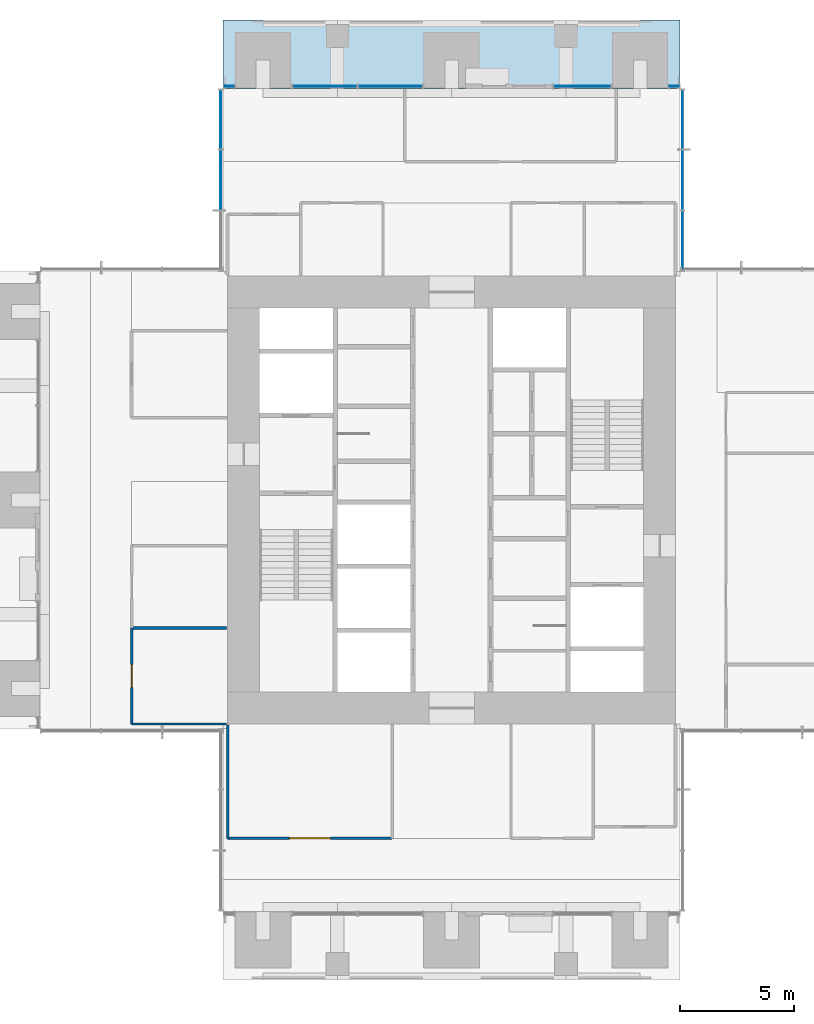
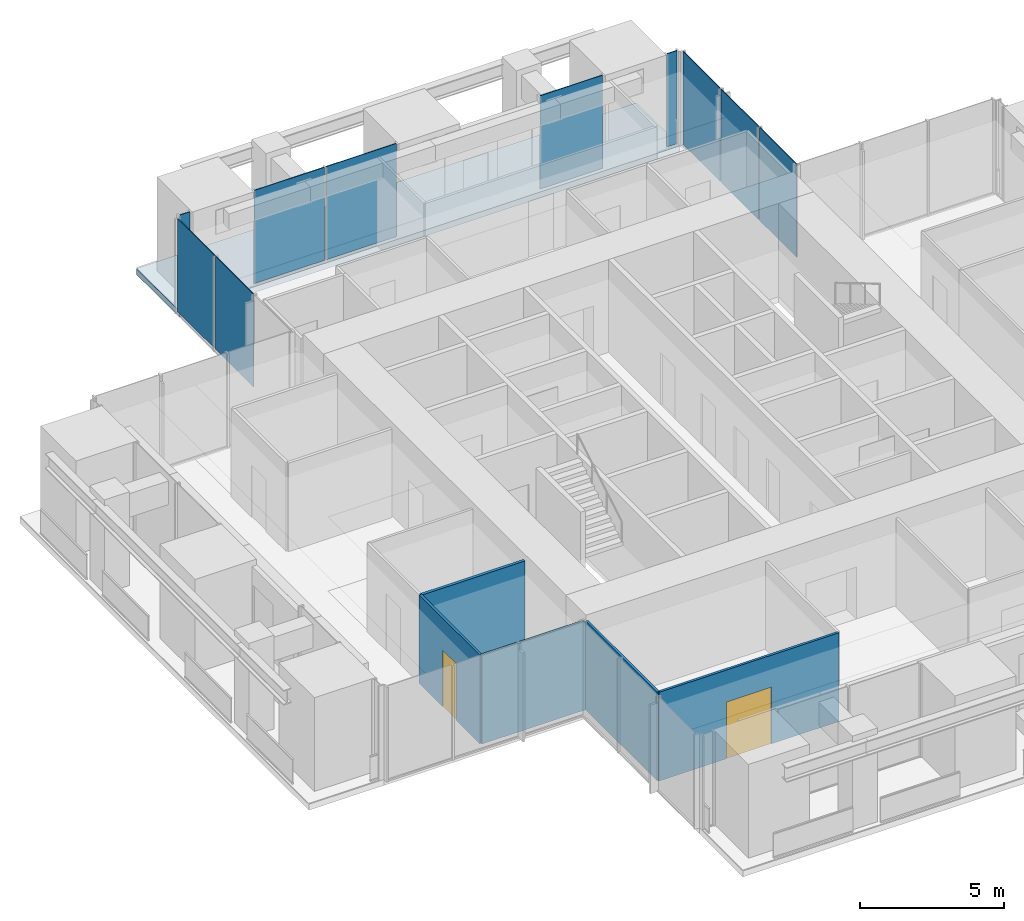
# One storey, part 11 of 17: 10 plates, 5 walls, 2 doors, 1 slab, 2 openings, 6 elements without a shape of their own.
"""IFC4 building model written with IfcOpenShell, lengths in metres."""

from ifc_helpers import new_model, si_unit, direction, frame, frame_2d, origin, origin_2d, place, context, subcontext, project, spatial, polyline, rectangle, outline, extrude, material, layer, layer_set, type_object, element, fill, aggregate, save


model = new_model("IFC4")

# Units and contexts
model_context = context("Model", 3, precision=1e-05, world=origin(), true_north=direction((0.0, 1.0)))
body_context = subcontext(model_context, "Body", "Model", "MODEL_VIEW")
ifc_project = project(units=[si_unit("LENGTHUNIT", "METRE"), si_unit("AREAUNIT", "SQUARE_METRE"), si_unit("VOLUMEUNIT", "CUBIC_METRE"), si_unit("PLANEANGLEUNIT", "RADIAN"), si_unit("MASSUNIT", "GRAM", prefix="KILO")], contexts=[model_context])

# Site, building, storey
site_placement = place(None, origin())
site = spatial("IfcSite", under=ifc_project, at=site_placement, CompositionType="ELEMENT")
building_placement = place(site_placement, origin())
building = spatial("IfcBuilding", under=site, at=building_placement, Name="Svetlomir Tower", CompositionType="ELEMENT")
storey_placement = place(building_placement, frame((0.0, 0.0, 186.5)))
storey = spatial("IfcBuildingStorey", under=building, at=storey_placement, Name="L44", CompositionType="ELEMENT", Elevation=186.5)

# Curtain wall, plates
ifc_material_1 = material(Name="Bronze anodised aluminium curtain wall", Category="aluminium")
curtain_wall_type = type_object("IfcCurtainWallType", Name="CURTAIN WALL CW1 TOWER OFFICE", PredefinedType="NOTDEFINED", material=ifc_material_1)
curtain_wall_1_placement = place(storey_placement, origin())
curtain_wall_1 = element("IfcCurtainWall", 1, at=curtain_wall_1_placement, inside=storey, type_object=curtain_wall_type, Name="Curtain wall CW1 L44", PredefinedType="NOTDEFINED")
ifc_material_2 = material(Name="Tinted double glazed unit", Category="glass")
ifc_layer_1 = layer(ifc_material_2, 0.031982421875)
ifc_layer_set_1 = layer_set([ifc_layer_1], Name="Tinted double glazed unit")
plate_type = type_object("IfcPlateType", Name="CW1 GLAZED PANEL 32", PredefinedType="CURTAIN_PANEL", material=ifc_layer_set_1)
plate_1_placement = place(storey_placement, frame((31.10009765625, 32.349609375, 0.06494140625), z_axis=(0.0, 0.0, 1.0), x_axis=(0.0, 1.0, 0.0)))
plate_1 = element("IfcPlate", 2, at=plate_1_placement, type_object=plate_type, Name="CW1 panel 1.1", PredefinedType="CURTAIN_PANEL", context=body_context, shape_type="SweptSolid", body=[
    extrude(rectangle(XDim=2.569091796875, YDim=0.031982421875, at=origin_2d()), origin(), (0.0, 0.0, 1.0), 3.93505859375),
])
plate_2_placement = place(storey_placement, frame((31.10009765625, 35.0, 0.06494140625), z_axis=(0.0, 0.0, 1.0), x_axis=(0.0, 1.0, 0.0)))
plate_2 = element("IfcPlate", 3, at=plate_2_placement, type_object=plate_type, Name="CW1 panel 2.1", PredefinedType="CURTAIN_PANEL", context=body_context, shape_type="SweptSolid", body=[
    extrude(rectangle(XDim=2.6015625, YDim=0.031982421875, at=origin_2d()), origin(), (0.0, 0.0, 1.0), 3.93505859375),
])
plate_3_placement = place(storey_placement, frame((31.10009765625, 37.650390625, 0.06494140625), z_axis=(0.0, 0.0, 1.0), x_axis=(0.0, 1.0, 0.0)))
plate_3 = element("IfcPlate", 4, at=plate_3_placement, type_object=plate_type, Name="CW1 panel 3.1", PredefinedType="CURTAIN_PANEL", context=body_context, shape_type="SweptSolid", body=[
    extrude(rectangle(XDim=2.569091796875, YDim=0.031982421875, at=origin_2d()), origin(), (0.0, 0.0, 1.0), 3.93505859375),
])
aggregate(curtain_wall_1, [plate_1, plate_2, plate_3])

# Curtain wall, plate
curtain_wall_2_placement = place(storey_placement, origin())
curtain_wall_2 = element("IfcCurtainWall", 5, at=curtain_wall_2_placement, inside=storey, type_object=curtain_wall_type, Name="Curtain wall CW1 L44", PredefinedType="NOTDEFINED")
plate_4_placement = place(storey_placement, frame((30.737548828125, 39.10009765625, 0.06494140625), z_axis=(0.0, 0.0, 1.0), x_axis=(-1.0, 0.0, 0.0)))
plate_4 = element("IfcPlate", 6, at=plate_4_placement, type_object=plate_type, Name="CW1 panel 1.1", PredefinedType="CURTAIN_PANEL", context=body_context, shape_type="SweptSolid", body=[
    extrude(rectangle(XDim=0.39501953125, YDim=0.031982421875, at=origin_2d()), origin(), (0.0, 0.0, 1.0), 3.93505859375),
])
aggregate(curtain_wall_2, [plate_4])

curtain_wall_3_placement = place(storey_placement, origin())
curtain_wall_3 = element("IfcCurtainWall", 7, at=curtain_wall_3_placement, inside=storey, type_object=curtain_wall_type, Name="Curtain wall CW1 L44", PredefinedType="NOTDEFINED")
plate_5_placement = place(storey_placement, frame((26.71240234375, 39.10009765625, 0.06494140625), z_axis=(0.0, 0.0, 1.0), x_axis=(-1.0, 0.0, 0.0)))
plate_5 = element("IfcPlate", 8, at=plate_5_placement, type_object=plate_type, Name="CW1 panel 1.1", PredefinedType="CURTAIN_PANEL", context=body_context, shape_type="SweptSolid", body=[
    extrude(rectangle(XDim=2.4951171875, YDim=0.031982421875, at=origin_2d()), origin(), (0.0, 0.0, 1.0), 3.93505859375),
])
aggregate(curtain_wall_3, [plate_5])

# Curtain wall, plates
curtain_wall_4_placement = place(storey_placement, origin())
curtain_wall_4 = element("IfcCurtainWall", 9, at=curtain_wall_4_placement, inside=storey, type_object=curtain_wall_type, Name="Curtain wall CW1 L44", PredefinedType="NOTDEFINED")
plate_6_placement = place(storey_placement, frame((18.308837890625, 39.10009765625, 0.06494140625), z_axis=(0.0, 0.0, 1.0), x_axis=(-1.0, 0.0, 0.0)))
plate_6 = element("IfcPlate", 10, at=plate_6_placement, type_object=plate_type, Name="CW1 panel 1.1", PredefinedType="CURTAIN_PANEL", context=body_context, shape_type="SweptSolid", body=[
    extrude(rectangle(XDim=2.802490234375, YDim=0.031982421875, at=origin_2d()), origin(), (0.0, 0.0, 1.0), 3.93505859375),
])
plate_7_placement = place(storey_placement, frame((15.441162109375, 39.10009765625, 0.06494140625), z_axis=(0.0, 0.0, 1.0), x_axis=(-1.0, 0.0, 0.0)))
plate_7 = element("IfcPlate", 11, at=plate_7_placement, type_object=plate_type, Name="CW1 panel 2.1", PredefinedType="CURTAIN_PANEL", context=body_context, shape_type="SweptSolid", body=[
    extrude(rectangle(XDim=2.802490234375, YDim=0.031982421875, at=origin_2d()), origin(), (0.0, 0.0, 1.0), 3.93505859375),
])
aggregate(curtain_wall_4, [plate_6, plate_7])

# Curtain wall, plate
curtain_wall_5_placement = place(storey_placement, origin())
curtain_wall_5 = element("IfcCurtainWall", 12, at=curtain_wall_5_placement, inside=storey, type_object=curtain_wall_type, Name="Curtain wall CW1 L44", PredefinedType="NOTDEFINED")
plate_8_placement = place(storey_placement, frame((11.262451171875, 39.10009765625, 0.06494140625), z_axis=(0.0, 0.0, 1.0), x_axis=(-1.0, 0.0, 0.0)))
plate_8 = element("IfcPlate", 13, at=plate_8_placement, type_object=plate_type, Name="CW1 panel 1.1", PredefinedType="CURTAIN_PANEL", context=body_context, shape_type="SweptSolid", body=[
    extrude(rectangle(XDim=0.39501953125, YDim=0.031982421875, at=origin_2d()), origin(), (0.0, 0.0, 1.0), 3.93505859375),
])
aggregate(curtain_wall_5, [plate_8])

# Curtain wall, plates
curtain_wall_6_placement = place(storey_placement, origin())
curtain_wall_6 = element("IfcCurtainWall", 14, at=curtain_wall_6_placement, inside=storey, type_object=curtain_wall_type, Name="Curtain wall CW1 L44", PredefinedType="NOTDEFINED")
plate_9_placement = place(storey_placement, frame((10.89990234375, 37.650390625, 0.06494140625), z_axis=(0.0, 0.0, 1.0), x_axis=(0.0, -1.0, 0.0)))
plate_9 = element("IfcPlate", 15, at=plate_9_placement, type_object=plate_type, Name="CW1 panel 1.1", PredefinedType="CURTAIN_PANEL", context=body_context, shape_type="SweptSolid", body=[
    extrude(rectangle(XDim=2.569091796875, YDim=0.031982421875, at=origin_2d()), origin(), (0.0, 0.0, 1.0), 3.93505859375),
])
plate_10_placement = place(storey_placement, frame((10.89990234375, 35.0, 0.06494140625), z_axis=(0.0, 0.0, 1.0), x_axis=(0.0, -1.0, 0.0)))
plate_10 = element("IfcPlate", 16, at=plate_10_placement, type_object=plate_type, Name="CW1 panel 2.1", PredefinedType="CURTAIN_PANEL", context=body_context, shape_type="SweptSolid", body=[
    extrude(rectangle(XDim=2.6015625, YDim=0.031982421875, at=origin_2d()), origin(), (0.0, 0.0, 1.0), 3.93505859375),
])
aggregate(curtain_wall_6, [plate_9, plate_10])

# Slab
ifc_material_3 = material(Name="Concrete C60/75", Category="concrete")
ifc_layer_2 = layer(ifc_material_3, 0.25)
ifc_layer_set_2 = layer_set([ifc_layer_2], Name="Concrete C60/75")
slab_type = type_object("IfcSlabType", Name="PLANTED LOGGIA SLAB 250", PredefinedType="FLOOR", material=ifc_layer_set_2)
slab_placement = place(storey_placement, frame((0.0, 0.0, -0.25)))
element("IfcSlab", 17, at=slab_placement, inside=storey, type_object=slab_type, Name="L44 N planted loggia", PredefinedType="FLOOR", context=body_context, shape_type="SweptSolid", body=[
    extrude(outline(polyline([(11.0, 39.0), (31.0, 39.0), (31.0, 42.0), (11.0, 42.0), (11.0, 39.0)])), origin(), (0.0, 0.0, 1.0), 0.25),
])

# Wall, opening, door
ifc_material_4 = material(Name="Framed laminated glass partition", Category="glass")
ifc_layer_3 = layer(ifc_material_4, 0.10009765625)
ifc_layer_set_3 = layer_set([ifc_layer_3], Name="Framed laminated glass partition")
wall_type_1 = type_object("IfcWallType", Name="GLAZED PARTITION 100", PredefinedType="PARTITIONING", material=ifc_layer_set_3)
wall_1_placement = place(storey_placement, frame((7.0, 11.199951171875, 0.0), z_axis=(0.0, 0.0, 1.0), x_axis=(0.0, 1.0, 0.0)))
wall_1 = element("IfcWall", 18, at=wall_1_placement, inside=storey, type_object=wall_type_1, Name="Glazed partition L44", PredefinedType="PARTITIONING", context=body_context, shape_type="SweptSolid", body=[
    extrude(rectangle(XDim=4.199951171875, YDim=0.10009765625, at=frame_2d((2.10009765625, 0.0))), origin(), (0.0, 0.0, 1.0), 3.75),
])
opening_1_placement = place(wall_1_placement, frame((1.60009765625, 0.0, 0.0)))
opening_1 = element("IfcOpeningElement", 19, at=opening_1_placement, cuts=wall_1, Name="Opening DG", PredefinedType="OPENING", context=body_context, shape_type="SweptSolid", body=[
    extrude(rectangle(XDim=1.0, YDim=2.39990234375, at=frame_2d((0.5, 1.199951171875))), frame((0.0, 0.06005859375, 0.0), z_axis=(0.0, -1.0, 0.0), x_axis=(1.0, 0.0, 0.0)), (0.0, 0.0, 1.0), 0.1201171875),
])
ifc_material_5 = material(Name="Framed laminated glass door", Category="glass")
door_type_1 = type_object("IfcDoorType", Name="GLAZED DOOR DG 1000x2400", OperationType="SINGLE_SWING_LEFT", PredefinedType="DOOR", material=ifc_material_5)
door_1_placement = place(opening_1_placement, origin())
door_1 = element("IfcDoor", 20, at=door_1_placement, inside=storey, type_object=door_type_1, Name="Meeting room, 4 seats door L44", OperationType="SINGLE_SWING_RIGHT", OverallHeight=2.39990234375, OverallWidth=1.0, PredefinedType="DOOR", context=body_context, shape_type="SweptSolid", body=[
    extrude(rectangle(XDim=1.0, YDim=2.39990234375, at=frame_2d((0.5, 1.199951171875))), frame((0.0, 0.02490234375, 0.0), z_axis=(0.0, -1.0, 0.0), x_axis=(1.0, 0.0, 0.0)), (0.0, 0.0, 1.0), 0.050048828125),
])
fill(opening_1, door_1)

# Walls
wall_2_placement = place(storey_placement, frame((7.0, 11.199951171875, 0.0), z_axis=(0.0, 0.0, 1.0), x_axis=(1.0, 0.0, 0.0)))
element("IfcWall", 21, at=wall_2_placement, inside=storey, type_object=wall_type_1, Name="Glazed partition L44", PredefinedType="PARTITIONING", context=body_context, shape_type="SweptSolid", body=[
    extrude(rectangle(XDim=4.14990234375, YDim=0.10009765625, at=frame_2d((2.074951171875, 0.0))), origin(), (0.0, 0.0, 1.0), 3.75),
])
wall_3_placement = place(storey_placement, frame((11.199951171875, 6.199951171875, 0.0), z_axis=(0.0, 0.0, 1.0), x_axis=(0.0, 1.0, 0.0)))
element("IfcWall", 22, at=wall_3_placement, inside=storey, type_object=wall_type_1, Name="Glazed partition L44", PredefinedType="PARTITIONING", context=body_context, shape_type="SweptSolid", body=[
    extrude(rectangle(XDim=4.949951171875, YDim=0.10009765625, at=frame_2d((2.47509765625, 0.0))), origin(), (0.0, 0.0, 1.0), 3.75),
])

# Wall, opening, door
wall_4_placement = place(storey_placement, frame((11.199951171875, 6.199951171875, 0.0), z_axis=(0.0, 0.0, 1.0), x_axis=(1.0, 0.0, 0.0)))
wall_4 = element("IfcWall", 23, at=wall_4_placement, inside=storey, type_object=wall_type_1, Name="Glazed partition L44", PredefinedType="PARTITIONING", context=body_context, shape_type="SweptSolid", body=[
    extrude(rectangle(XDim=7.199951171875, YDim=0.10009765625, at=frame_2d((3.60009765625, 0.0))), origin(), (0.0, 0.0, 1.0), 3.75),
])
opening_2_placement = place(wall_4_placement, frame((2.699951171875, 0.0, 0.0)))
opening_2 = element("IfcOpeningElement", 24, at=opening_2_placement, cuts=wall_4, Name="Opening DD", PredefinedType="OPENING", context=body_context, shape_type="SweptSolid", body=[
    extrude(rectangle(XDim=1.800048828125, YDim=2.39990234375, at=frame_2d((0.89990234375, 1.199951171875))), frame((0.0, 0.06005859375, 0.0), z_axis=(0.0, -1.0, 0.0), x_axis=(1.0, 0.0, 0.0)), (0.0, 0.0, 1.0), 0.1201171875),
])
ifc_material_6 = material(Name="Timber door", Category="wood")
door_type_2 = type_object("IfcDoorType", Name="DOOR DD 1800x2400", OperationType="DOUBLE_DOOR_SINGLE_SWING", PredefinedType="DOOR", material=ifc_material_6)
door_2_placement = place(opening_2_placement, origin())
door_2 = element("IfcDoor", 25, at=door_2_placement, inside=storey, type_object=door_type_2, Name="Stakeholder workshop room, 16 seats door L44", OperationType="DOUBLE_DOOR_SINGLE_SWING", OverallHeight=2.39990234375, OverallWidth=1.800048828125, PredefinedType="DOOR", context=body_context, shape_type="SweptSolid", body=[
    extrude(rectangle(XDim=1.800048828125, YDim=2.39990234375, at=frame_2d((0.89990234375, 1.199951171875))), frame((0.0, 0.02490234375, 0.0), z_axis=(0.0, -1.0, 0.0), x_axis=(1.0, 0.0, 0.0)), (0.0, 0.0, 1.0), 0.050048828125),
])
fill(opening_2, door_2)

# Wall
ifc_material_7 = material(Name="Gypsum board on steel studs", Category="steel")
ifc_layer_4 = layer(ifc_material_7, 0.1201171875)
ifc_layer_set_4 = layer_set([ifc_layer_4], Name="Gypsum board on steel studs")
wall_type_2 = type_object("IfcWallType", Name="PARTITION 120", PredefinedType="PARTITIONING", material=ifc_layer_set_4)
wall_5_placement = place(storey_placement, frame((7.0, 15.39990234375, 0.0), z_axis=(0.0, 0.0, 1.0), x_axis=(1.0, 0.0, 0.0)))
element("IfcWall", 26, at=wall_5_placement, inside=storey, type_object=wall_type_2, Name="Partition L44", PredefinedType="PARTITIONING", context=body_context, shape_type="SweptSolid", body=[
    extrude(rectangle(XDim=4.14990234375, YDim=0.1201171875, at=frame_2d((2.074951171875, 0.0))), origin(), (0.0, 0.0, 1.0), 3.75),
])

save(model, "model.ifc")
